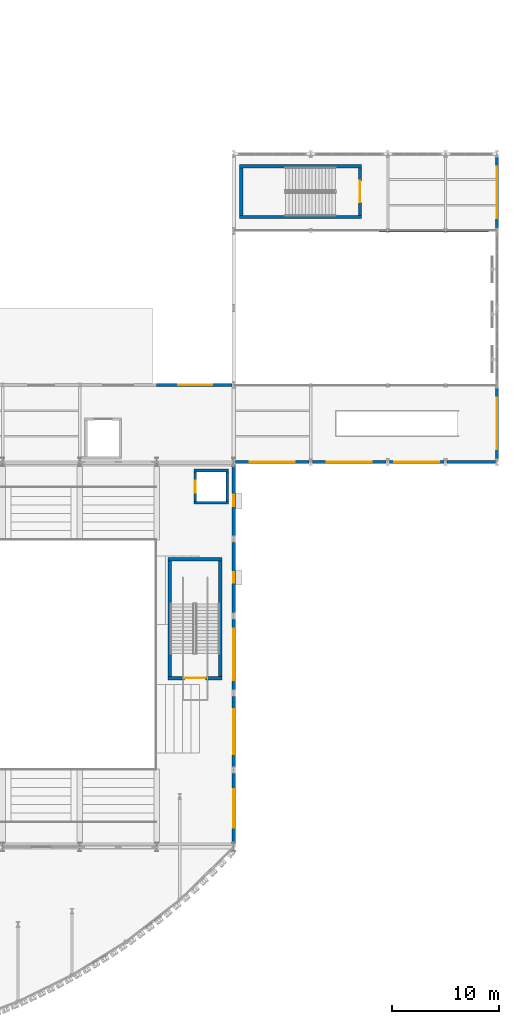
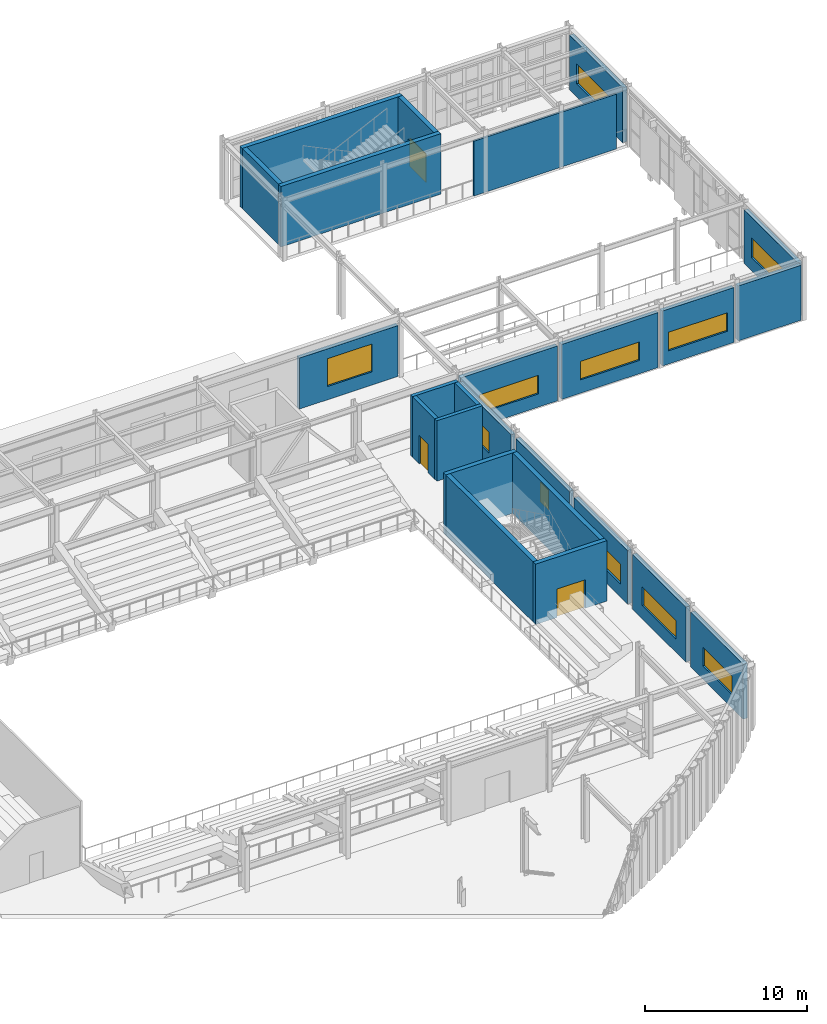
# One storey, part 99 of 121: 25 walls, 11 windows, 3 doors, 14 openings.
"""IFC4 building model written with IfcOpenShell, lengths in metres."""

from ifc_helpers import new_model, si_unit, direction, frame, frame_2d, origin, place, context, subcontext, project, spatial, rectangle, extrude, material, layer, layer_set, type_object, element, fill, save


model = new_model("IFC4")

# Units and contexts
model_context = context("Model", 3, precision=1e-05, world=origin(), true_north=direction((0.0, 1.0)))
body_context = subcontext(model_context, "Body", "Model", "MODEL_VIEW")
ifc_project = project(units=[si_unit("LENGTHUNIT", "METRE"), si_unit("AREAUNIT", "SQUARE_METRE"), si_unit("VOLUMEUNIT", "CUBIC_METRE"), si_unit("PLANEANGLEUNIT", "RADIAN"), si_unit("MASSUNIT", "GRAM", prefix="KILO")], contexts=[model_context])

# Site, building, storey
site_placement = place(None, origin())
site = spatial("IfcSite", under=ifc_project, at=site_placement, CompositionType="ELEMENT")
building_placement = place(site_placement, origin())
building = spatial("IfcBuilding", under=site, at=building_placement, Name="Solvadek Multi-Sports Hall", CompositionType="ELEMENT")
storey_placement = place(building_placement, frame((0.0, 0.0, 4.800048828125)))
storey = spatial("IfcBuildingStorey", under=building, at=storey_placement, Name="L01", CompositionType="ELEMENT", Elevation=4.800048828125)

# Wall, opening, window
ifc_material_1 = material(Name="Dressed honey-cream limestone ashlar", Category="masonry")
ifc_layer_1 = layer(ifc_material_1, 0.300048828125, Name="Dressed honey-cream limestone ashlar")
ifc_layer_set_1 = layer_set([ifc_layer_1], Name="Dressed honey-cream limestone ashlar")
wall_type_1 = type_object("IfcWallType", Name="ENV-WAL-EXT300", PredefinedType="SOLIDWALL", material=ifc_layer_set_1)
wall_1_placement = place(storey_placement, frame((136.800048828125, 6.404052734375, 0.0), z_axis=(0.0, 0.0, 1.0), x_axis=(0.0, 1.0, 0.0)))
wall_1 = element("IfcWall", 1, at=wall_1_placement, inside=storey, type_object=wall_type_1, Name="L01 Exterior Masonry Wall #231", PredefinedType="SOLIDWALL", context=body_context, shape_type="SweptSolid", body=[
    extrude(rectangle(XDim=6.491943359375, YDim=0.300048828125, at=frame_2d((3.24609375, 0.0))), origin(), (0.0, 0.0, 1.0), 4.14501953125),
])
opening_1_placement = place(wall_1_placement, frame((1.39599609375, 0.0, 1.0)))
opening_1 = element("IfcOpeningElement", 2, at=opening_1_placement, cuts=wall_1, Name="Opening WN-21", PredefinedType="OPENING", context=body_context, shape_type="SweptSolid", body=[
    extrude(rectangle(XDim=3.60009765625, YDim=1.39990234375, at=frame_2d((1.800048828125, 0.699951171875))), frame((0.0, 0.159912109375, 0.0), z_axis=(0.0, -1.0, 0.0), x_axis=(1.0, 0.0, 0.0)), (0.0, 0.0, 1.0), 0.320068359375),
])
ifc_material_2 = material(Name="Tempered laminated low-E glass", Category="glass")
window_type_1 = type_object("IfcWindowType", Name="ENV-WIN-WN-21", PartitioningType="SINGLE_PANEL", PredefinedType="WINDOW", material=ifc_material_2)
window_1_placement = place(opening_1_placement, origin())
window_1 = element("IfcWindow", 3, at=window_1_placement, inside=storey, type_object=window_type_1, Name="L01 Facade Window WN-21 #89", OverallHeight=1.39990234375, OverallWidth=3.60009765625, PartitioningType="SINGLE_PANEL", PredefinedType="WINDOW", context=body_context, shape_type="SweptSolid", body=[
    extrude(rectangle(XDim=3.60009765625, YDim=1.39990234375, at=frame_2d((1.800048828125, 0.699951171875))), frame((0.0, 0.030029296875, 0.0), z_axis=(0.0, -1.0, 0.0), x_axis=(1.0, 0.0, 0.0)), (0.0, 0.0, 1.0), 0.06005859375),
])
fill(opening_1, window_1)

wall_2_placement = place(storey_placement, frame((136.800048828125, 13.50390625, 0.0), z_axis=(0.0, 0.0, 1.0), x_axis=(0.0, 1.0, 0.0)))
wall_2 = element("IfcWall", 4, at=wall_2_placement, inside=storey, type_object=wall_type_1, Name="L01 Exterior Masonry Wall #234", PredefinedType="SOLIDWALL", context=body_context, shape_type="SweptSolid", body=[
    extrude(rectangle(XDim=6.592041015625, YDim=0.300048828125, at=frame_2d((3.2958984375, 0.0))), origin(), (0.0, 0.0, 1.0), 4.14501953125),
])
opening_2_placement = place(wall_2_placement, frame((1.196044921875, 0.0, 1.0)))
opening_2 = element("IfcOpeningElement", 5, at=opening_2_placement, cuts=wall_2, Name="Opening WN-22", PredefinedType="OPENING", context=body_context, shape_type="SweptSolid", body=[
    extrude(rectangle(XDim=4.199951171875, YDim=1.39990234375, at=frame_2d((2.10009765625, 0.699951171875))), frame((0.0, 0.159912109375, 0.0), z_axis=(0.0, -1.0, 0.0), x_axis=(1.0, 0.0, 0.0)), (0.0, 0.0, 1.0), 0.320068359375),
])
window_type_2 = type_object("IfcWindowType", Name="ENV-WIN-WN-22", PartitioningType="SINGLE_PANEL", PredefinedType="WINDOW", material=ifc_material_2)
window_2_placement = place(opening_2_placement, origin())
window_2 = element("IfcWindow", 6, at=window_2_placement, inside=storey, type_object=window_type_2, Name="L01 Facade Window WN-22 #92", OverallHeight=1.39990234375, OverallWidth=4.199951171875, PartitioningType="SINGLE_PANEL", PredefinedType="WINDOW", context=body_context, shape_type="SweptSolid", body=[
    extrude(rectangle(XDim=4.199951171875, YDim=1.39990234375, at=frame_2d((2.10009765625, 0.699951171875))), frame((0.0, 0.030029296875, 0.0), z_axis=(0.0, -1.0, 0.0), x_axis=(1.0, 0.0, 0.0)), (0.0, 0.0, 1.0), 0.06005859375),
])
fill(opening_2, window_2)

wall_3_placement = place(storey_placement, frame((136.800048828125, 20.7041015625, 0.0), z_axis=(0.0, 0.0, 1.0), x_axis=(0.0, 1.0, 0.0)))
wall_3 = element("IfcWall", 7, at=wall_3_placement, inside=storey, type_object=wall_type_1, Name="L01 Exterior Masonry Wall #237", PredefinedType="SOLIDWALL", context=body_context, shape_type="SweptSolid", body=[
    extrude(rectangle(XDim=6.591796875, YDim=0.300048828125, at=frame_2d((3.2958984375, 0.0))), origin(), (0.0, 0.0, 1.0), 4.044921875),
])
opening_3_placement = place(wall_3_placement, frame((0.89599609375, 0.0, 1.0)))
opening_3 = element("IfcOpeningElement", 8, at=opening_3_placement, cuts=wall_3, Name="Opening WN-23", PredefinedType="OPENING", context=body_context, shape_type="SweptSolid", body=[
    extrude(rectangle(XDim=4.800048828125, YDim=1.5, at=frame_2d((2.39990234375, 0.75))), frame((0.0, 0.159912109375, 0.0), z_axis=(0.0, -1.0, 0.0), x_axis=(1.0, 0.0, 0.0)), (0.0, 0.0, 1.0), 0.320068359375),
])
window_type_3 = type_object("IfcWindowType", Name="ENV-WIN-WN-23", PartitioningType="SINGLE_PANEL", PredefinedType="WINDOW", material=ifc_material_2)
window_3_placement = place(opening_3_placement, origin())
window_3 = element("IfcWindow", 9, at=window_3_placement, inside=storey, type_object=window_type_3, Name="L01 Facade Window WN-23 #94", OverallHeight=1.5, OverallWidth=4.800048828125, PartitioningType="SINGLE_PANEL", PredefinedType="WINDOW", context=body_context, shape_type="SweptSolid", body=[
    extrude(rectangle(XDim=4.800048828125, YDim=1.5, at=frame_2d((2.39990234375, 0.75))), frame((0.0, 0.030029296875, 0.0), z_axis=(0.0, -1.0, 0.0), x_axis=(1.0, 0.0, 0.0)), (0.0, 0.0, 1.0), 0.06005859375),
])
fill(opening_3, window_3)

wall_4_placement = place(storey_placement, frame((136.800048828125, 27.904052734375, 0.0), z_axis=(0.0, 0.0, 1.0), x_axis=(0.0, 1.0, 0.0)))
wall_4 = element("IfcWall", 10, at=wall_4_placement, inside=storey, type_object=wall_type_1, Name="L01 Exterior Masonry Wall #240", PredefinedType="SOLIDWALL", context=body_context, shape_type="SweptSolid", body=[
    extrude(rectangle(XDim=6.592041015625, YDim=0.300048828125, at=frame_2d((3.2958984375, 0.0))), origin(), (0.0, 0.0, 1.0), 4.14501953125),
])
opening_4_placement = place(wall_4_placement, frame((2.7958984375, 0.0, 1.0)))
opening_4 = element("IfcOpeningElement", 11, at=opening_4_placement, cuts=wall_4, Name="Opening WN-24", PredefinedType="OPENING", context=body_context, shape_type="SweptSolid", body=[
    extrude(rectangle(XDim=1.0, YDim=1.5, at=frame_2d((0.5, 0.75))), frame((0.0, 0.159912109375, 0.0), z_axis=(0.0, -1.0, 0.0), x_axis=(1.0, 0.0, 0.0)), (0.0, 0.0, 1.0), 0.320068359375),
])
window_type_4 = type_object("IfcWindowType", Name="ENV-WIN-WN-24", PartitioningType="SINGLE_PANEL", PredefinedType="WINDOW", material=ifc_material_2)
window_4_placement = place(opening_4_placement, origin())
window_4 = element("IfcWindow", 12, at=window_4_placement, inside=storey, type_object=window_type_4, Name="L01 Facade Window WN-24 #96", OverallHeight=1.5, OverallWidth=1.0, PartitioningType="SINGLE_PANEL", PredefinedType="WINDOW", context=body_context, shape_type="SweptSolid", body=[
    extrude(rectangle(XDim=1.0, YDim=1.5, at=frame_2d((0.5, 0.75))), frame((0.0, 0.030029296875, 0.0), z_axis=(0.0, -1.0, 0.0), x_axis=(1.0, 0.0, 0.0)), (0.0, 0.0, 1.0), 0.06005859375),
])
fill(opening_4, window_4)

wall_5_placement = place(storey_placement, frame((136.800048828125, 35.10400390625, 0.0), z_axis=(0.0, 0.0, 1.0), x_axis=(0.0, 1.0, 0.0)))
wall_5 = element("IfcWall", 13, at=wall_5_placement, inside=storey, type_object=wall_type_1, Name="L01 Exterior Masonry Wall #243", PredefinedType="SOLIDWALL", context=body_context, shape_type="SweptSolid", body=[
    extrude(rectangle(XDim=6.491943359375, YDim=0.300048828125, at=frame_2d((3.24609375, 0.0))), origin(), (0.0, 0.0, 1.0), 4.044921875),
])
opening_5_placement = place(wall_5_placement, frame((2.74609375, 0.0, 1.0)))
opening_5 = element("IfcOpeningElement", 14, at=opening_5_placement, cuts=wall_5, Name="Opening WN-25", PredefinedType="OPENING", context=body_context, shape_type="SweptSolid", body=[
    extrude(rectangle(XDim=1.10009765625, YDim=1.60009765625, at=frame_2d((0.550048828125, 0.800048828125))), frame((0.0, 0.159912109375, 0.0), z_axis=(0.0, -1.0, 0.0), x_axis=(1.0, 0.0, 0.0)), (0.0, 0.0, 1.0), 0.320068359375),
])
window_type_5 = type_object("IfcWindowType", Name="ENV-WIN-WN-25", PartitioningType="SINGLE_PANEL", PredefinedType="WINDOW", material=ifc_material_2)
window_5_placement = place(opening_5_placement, origin())
window_5 = element("IfcWindow", 15, at=window_5_placement, inside=storey, type_object=window_type_5, Name="L01 Facade Window WN-25 #99", OverallHeight=1.60009765625, OverallWidth=1.10009765625, PartitioningType="SINGLE_PANEL", PredefinedType="WINDOW", context=body_context, shape_type="SweptSolid", body=[
    extrude(rectangle(XDim=1.10009765625, YDim=1.60009765625, at=frame_2d((0.550048828125, 0.800048828125))), frame((0.0, 0.030029296875, 0.0), z_axis=(0.0, -1.0, 0.0), x_axis=(1.0, 0.0, 0.0)), (0.0, 0.0, 1.0), 0.06005859375),
])
fill(opening_5, window_5)

wall_6_placement = place(storey_placement, frame((129.60009765625, 49.199951171875, 0.0), z_axis=(0.0, 0.0, 1.0), x_axis=(1.0, 0.0, 0.0)))
wall_6 = element("IfcWall", 16, at=wall_6_placement, inside=storey, type_object=wall_type_1, Name="L01 Exterior Masonry Wall #251", PredefinedType="SOLIDWALL", context=body_context, shape_type="SweptSolid", body=[
    extrude(rectangle(XDim=7.0458984375, YDim=0.300048828125, at=frame_2d((3.52294921875, 0.0))), origin(), (0.0, 0.0, 1.0), 3.844970703125),
])
opening_6_placement = place(wall_6_placement, frame((2.0, 0.0, 1.0)))
opening_6 = element("IfcOpeningElement", 17, at=opening_6_placement, cuts=wall_6, Name="Opening WN-15", PredefinedType="OPENING", context=body_context, shape_type="SweptSolid", body=[
    extrude(rectangle(XDim=3.199951171875, YDim=2.10009765625, at=frame_2d((1.60009765625, 1.050048828125))), frame((0.0, 0.159912109375, 0.0), z_axis=(0.0, -1.0, 0.0), x_axis=(1.0, 0.0, 0.0)), (0.0, 0.0, 1.0), 0.320068359375),
])
window_type_6 = type_object("IfcWindowType", Name="ENV-WIN-WN-15", PartitioningType="SINGLE_PANEL", PredefinedType="WINDOW", material=ifc_material_2)
window_6_placement = place(opening_6_placement, origin())
window_6 = element("IfcWindow", 18, at=window_6_placement, inside=storey, type_object=window_type_6, Name="L01 Facade Window WN-15 #107", OverallHeight=2.10009765625, OverallWidth=3.199951171875, PartitioningType="SINGLE_PANEL", PredefinedType="WINDOW", context=body_context, shape_type="SweptSolid", body=[
    extrude(rectangle(XDim=3.199951171875, YDim=2.10009765625, at=frame_2d((1.60009765625, 1.050048828125))), frame((0.0, 0.030029296875, 0.0), z_axis=(0.0, -1.0, 0.0), x_axis=(1.0, 0.0, 0.0)), (0.0, 0.0, 1.0), 0.06005859375),
])
fill(opening_6, window_6)

wall_7_placement = place(storey_placement, frame((136.9541015625, 42.0, 0.0), z_axis=(0.0, 0.0, 1.0), x_axis=(1.0, 0.0, 0.0)))
wall_7 = element("IfcWall", 19, at=wall_7_placement, inside=storey, type_object=wall_type_1, Name="L01 Exterior Masonry Wall #261", PredefinedType="SOLIDWALL", context=body_context, shape_type="SweptSolid", body=[
    extrude(rectangle(XDim=6.891845703125, YDim=0.300048828125, at=frame_2d((3.44580078125, 0.0))), origin(), (0.0, 0.0, 1.0), 4.14501953125),
])
opening_7_placement = place(wall_7_placement, frame((1.345947265625, 0.0, 1.0)))
opening_7 = element("IfcOpeningElement", 20, at=opening_7_placement, cuts=wall_7, Name="Opening WN-22", PredefinedType="OPENING", context=body_context, shape_type="SweptSolid", body=[
    extrude(rectangle(XDim=4.199951171875, YDim=1.39990234375, at=frame_2d((2.10009765625, 0.699951171875))), frame((0.0, 0.159912109375, 0.0), z_axis=(0.0, -1.0, 0.0), x_axis=(1.0, 0.0, 0.0)), (0.0, 0.0, 1.0), 0.320068359375),
])
window_7_placement = place(opening_7_placement, origin())
window_7 = element("IfcWindow", 21, at=window_7_placement, inside=storey, type_object=window_type_2, Name="L01 Facade Window WN-22 #114", OverallHeight=1.39990234375, OverallWidth=4.199951171875, PartitioningType="SINGLE_PANEL", PredefinedType="WINDOW", context=body_context, shape_type="SweptSolid", body=[
    extrude(rectangle(XDim=4.199951171875, YDim=1.39990234375, at=frame_2d((2.10009765625, 0.699951171875))), frame((0.0, 0.030029296875, 0.0), z_axis=(0.0, -1.0, 0.0), x_axis=(1.0, 0.0, 0.0)), (0.0, 0.0, 1.0), 0.06005859375),
])
fill(opening_7, window_7)

wall_8_placement = place(storey_placement, frame((144.154052734375, 42.0, 0.0), z_axis=(0.0, 0.0, 1.0), x_axis=(1.0, 0.0, 0.0)))
wall_8 = element("IfcWall", 22, at=wall_8_placement, inside=storey, type_object=wall_type_1, Name="L01 Exterior Masonry Wall #265", PredefinedType="SOLIDWALL", context=body_context, shape_type="SweptSolid", body=[
    extrude(rectangle(XDim=6.891845703125, YDim=0.300048828125, at=frame_2d((3.44580078125, 0.0))), origin(), (0.0, 0.0, 1.0), 4.14501953125),
])
opening_8_placement = place(wall_8_placement, frame((1.345947265625, 0.0, 1.0)))
opening_8 = element("IfcOpeningElement", 23, at=opening_8_placement, cuts=wall_8, Name="Opening WN-22", PredefinedType="OPENING", context=body_context, shape_type="SweptSolid", body=[
    extrude(rectangle(XDim=4.199951171875, YDim=1.39990234375, at=frame_2d((2.10009765625, 0.699951171875))), frame((0.0, 0.159912109375, 0.0), z_axis=(0.0, -1.0, 0.0), x_axis=(1.0, 0.0, 0.0)), (0.0, 0.0, 1.0), 0.320068359375),
])
window_8_placement = place(opening_8_placement, origin())
window_8 = element("IfcWindow", 24, at=window_8_placement, inside=storey, type_object=window_type_2, Name="L01 Facade Window WN-22 #115", OverallHeight=1.39990234375, OverallWidth=4.199951171875, PartitioningType="SINGLE_PANEL", PredefinedType="WINDOW", context=body_context, shape_type="SweptSolid", body=[
    extrude(rectangle(XDim=4.199951171875, YDim=1.39990234375, at=frame_2d((2.10009765625, 0.699951171875))), frame((0.0, 0.030029296875, 0.0), z_axis=(0.0, -1.0, 0.0), x_axis=(1.0, 0.0, 0.0)), (0.0, 0.0, 1.0), 0.06005859375),
])
fill(opening_8, window_8)

wall_9_placement = place(storey_placement, frame((151.35400390625, 42.0, 0.0), z_axis=(0.0, 0.0, 1.0), x_axis=(1.0, 0.0, 0.0)))
wall_9 = element("IfcWall", 25, at=wall_9_placement, inside=storey, type_object=wall_type_1, Name="L01 Exterior Masonry Wall #270", PredefinedType="SOLIDWALL", context=body_context, shape_type="SweptSolid", body=[
    extrude(rectangle(XDim=5.092041015625, YDim=0.300048828125, at=frame_2d((2.5458984375, 0.0))), origin(), (0.0, 0.0, 1.0), 4.14501953125),
])
opening_9_placement = place(wall_9_placement, frame((0.446044921875, 0.0, 1.0)))
opening_9 = element("IfcOpeningElement", 26, at=opening_9_placement, cuts=wall_9, Name="Opening WN-22", PredefinedType="OPENING", context=body_context, shape_type="SweptSolid", body=[
    extrude(rectangle(XDim=4.199951171875, YDim=1.39990234375, at=frame_2d((2.10009765625, 0.699951171875))), frame((0.0, 0.159912109375, 0.0), z_axis=(0.0, -1.0, 0.0), x_axis=(1.0, 0.0, 0.0)), (0.0, 0.0, 1.0), 0.320068359375),
])
window_9_placement = place(opening_9_placement, origin())
window_9 = element("IfcWindow", 27, at=window_9_placement, inside=storey, type_object=window_type_2, Name="L01 Facade Window WN-22 #116", OverallHeight=1.39990234375, OverallWidth=4.199951171875, PartitioningType="SINGLE_PANEL", PredefinedType="WINDOW", context=body_context, shape_type="SweptSolid", body=[
    extrude(rectangle(XDim=4.199951171875, YDim=1.39990234375, at=frame_2d((2.10009765625, 0.699951171875))), frame((0.0, 0.030029296875, 0.0), z_axis=(0.0, -1.0, 0.0), x_axis=(1.0, 0.0, 0.0)), (0.0, 0.0, 1.0), 0.06005859375),
])
fill(opening_9, window_9)

# Wall
wall_10_placement = place(storey_placement, frame((156.75390625, 42.0, 0.0), z_axis=(0.0, 0.0, 1.0), x_axis=(1.0, 0.0, 0.0)))
element("IfcWall", 28, at=wall_10_placement, inside=storey, type_object=wall_type_1, Name="L01 Exterior Masonry Wall #274", PredefinedType="SOLIDWALL", context=body_context, shape_type="SweptSolid", body=[
    extrude(rectangle(XDim=4.4921875, YDim=0.300048828125, at=frame_2d((2.24609375, 0.0))), origin(), (0.0, 0.0, 1.0), 4.14501953125),
])

# Wall, opening, window
wall_11_placement = place(storey_placement, frame((161.39990234375, 42.303955078125, 0.0), z_axis=(0.0, 0.0, 1.0), x_axis=(0.0, 1.0, 0.0)))
wall_11 = element("IfcWall", 29, at=wall_11_placement, inside=storey, type_object=wall_type_1, Name="L01 Exterior Masonry Wall #278", PredefinedType="SOLIDWALL", context=body_context, shape_type="SweptSolid", body=[
    extrude(rectangle(XDim=6.592041015625, YDim=0.300048828125, at=frame_2d((3.2958984375, 0.0))), origin(), (0.0, 0.0, 1.0), 4.044921875),
])
opening_10_placement = place(wall_11_placement, frame((0.89599609375, 0.0, 1.0)))
opening_10 = element("IfcOpeningElement", 30, at=opening_10_placement, cuts=wall_11, Name="Opening WN-23", PredefinedType="OPENING", context=body_context, shape_type="SweptSolid", body=[
    extrude(rectangle(XDim=4.800048828125, YDim=1.5, at=frame_2d((2.39990234375, 0.75))), frame((0.0, 0.159912109375, 0.0), z_axis=(0.0, -1.0, 0.0), x_axis=(1.0, 0.0, 0.0)), (0.0, 0.0, 1.0), 0.320068359375),
])
window_10_placement = place(opening_10_placement, origin())
window_10 = element("IfcWindow", 31, at=window_10_placement, inside=storey, type_object=window_type_3, Name="L01 Facade Window WN-23 #119", OverallHeight=1.5, OverallWidth=4.800048828125, PartitioningType="SINGLE_PANEL", PredefinedType="WINDOW", context=body_context, shape_type="SweptSolid", body=[
    extrude(rectangle(XDim=4.800048828125, YDim=1.5, at=frame_2d((2.39990234375, 0.75))), frame((0.0, 0.030029296875, 0.0), z_axis=(0.0, -1.0, 0.0), x_axis=(1.0, 0.0, 0.0)), (0.0, 0.0, 1.0), 0.06005859375),
])
fill(opening_10, window_10)

wall_12_placement = place(storey_placement, frame((161.39990234375, 63.904052734375, 0.0), z_axis=(0.0, 0.0, 1.0), x_axis=(0.0, 1.0, 0.0)))
wall_12 = element("IfcWall", 32, at=wall_12_placement, inside=storey, type_object=wall_type_1, Name="L01 Exterior Masonry Wall #282", PredefinedType="SOLIDWALL", context=body_context, shape_type="SweptSolid", body=[
    extrude(rectangle(XDim=6.592041015625, YDim=0.300048828125, at=frame_2d((3.2958984375, 0.0))), origin(), (0.0, 0.0, 1.0), 4.14501953125),
])
opening_11_placement = place(wall_12_placement, frame((0.89599609375, 0.0, 1.0)))
opening_11 = element("IfcOpeningElement", 33, at=opening_11_placement, cuts=wall_12, Name="Opening WN-23", PredefinedType="OPENING", context=body_context, shape_type="SweptSolid", body=[
    extrude(rectangle(XDim=4.800048828125, YDim=1.5, at=frame_2d((2.39990234375, 0.75))), frame((0.0, 0.159912109375, 0.0), z_axis=(0.0, -1.0, 0.0), x_axis=(1.0, 0.0, 0.0)), (0.0, 0.0, 1.0), 0.320068359375),
])
window_11_placement = place(opening_11_placement, origin())
window_11 = element("IfcWindow", 34, at=window_11_placement, inside=storey, type_object=window_type_3, Name="L01 Facade Window WN-23 #123", OverallHeight=1.5, OverallWidth=4.800048828125, PartitioningType="SINGLE_PANEL", PredefinedType="WINDOW", context=body_context, shape_type="SweptSolid", body=[
    extrude(rectangle(XDim=4.800048828125, YDim=1.5, at=frame_2d((2.39990234375, 0.75))), frame((0.0, 0.030029296875, 0.0), z_axis=(0.0, -1.0, 0.0), x_axis=(1.0, 0.0, 0.0)), (0.0, 0.0, 1.0), 0.06005859375),
])
fill(opening_11, window_11)

# Walls
ifc_material_3 = material(Name="Autoclaved aerated concrete blockwork", Category="masonry")
ifc_layer_2 = layer(ifc_material_3, 0.135009765625, Name="Autoclaved aerated concrete blockwork")
ifc_layer_set_2 = layer_set([ifc_layer_2], Name="Autoclaved aerated concrete blockwork")
wall_type_2 = type_object("IfcWallType", Name="INT-WAL-PRT135", PredefinedType="PARTITIONING", material=ifc_layer_set_2)
wall_13_placement = place(storey_placement, frame((150.419921875, 63.60009765625, 0.0), z_axis=(0.0, 0.0, 1.0), x_axis=(1.0, 0.0, 0.0)))
element("IfcWall", 35, at=wall_13_placement, inside=storey, type_object=wall_type_2, Name="L01 Partition Wall L01-08 S", PredefinedType="PARTITIONING", context=body_context, shape_type="SweptSolid", body=[
    extrude(rectangle(XDim=10.16015625, YDim=0.135009765625, at=frame_2d((5.080078125, 0.0))), origin(), (0.0, 0.0, 1.0), 4.139892578125),
])
ifc_material_4 = material(Name="Concrete M40", Category="concrete")
ifc_layer_3 = layer(ifc_material_4, 0.260009765625, Name="Concrete M40")
ifc_layer_set_3 = layer_set([ifc_layer_3], Name="Concrete M40")
wall_type_3 = type_object("IfcWallType", Name="INT-WAL-SHR260", PredefinedType="SHEAR", material=ifc_layer_set_3)
for number, where, z_axis, x_axis, name in (
    (36, (133.070068359375, 38.199951171875, 0.0), (0.0, 0.0, 1.0), (1.0, 0.0, 0.0), "Lift LP-03 Shaft Shear Wall L01 south"),
    (37, (133.070068359375, 41.199951171875, 0.0), (0.0, 0.0, 1.0), (1.0, 0.0, 0.0), "Lift LP-03 Shaft Shear Wall L01 north"),
):
    element("IfcWall", number, at=place(storey_placement, frame(where, z_axis=z_axis, x_axis=x_axis)), inside=storey, type_object=wall_type_3, Name=name, PredefinedType="SHEAR", context=body_context, shape_type="SweptSolid", body=[
        extrude(rectangle(XDim=3.260009765625, YDim=0.260009765625, at=frame_2d((1.6298828125, 0.0))), origin(), (0.0, 0.0, 1.0), 4.56005859375),
    ])

# Wall, opening, door
wall_14_placement = place(storey_placement, frame((133.199951171875, 38.330078125, 0.0), z_axis=(0.0, 0.0, 1.0), x_axis=(0.0, 1.0, 0.0)))
wall_14 = element("IfcWall", 38, at=wall_14_placement, inside=storey, type_object=wall_type_3, Name="Lift LP-03 Shaft Shear Wall L01 west", PredefinedType="SHEAR", context=body_context, shape_type="SweptSolid", body=[
    extrude(rectangle(XDim=2.739990234375, YDim=0.260009765625, at=frame_2d((1.3701171875, 0.0))), origin(), (0.0, 0.0, 1.0), 4.56005859375),
])
opening_12_placement = place(wall_14_placement, frame((0.820068359375, 0.0, 0.0)))
opening_12 = element("IfcOpeningElement", 39, at=opening_12_placement, cuts=wall_14, Name="Opening LD-22", PredefinedType="OPENING", context=body_context, shape_type="SweptSolid", body=[
    extrude(rectangle(XDim=1.10009765625, YDim=2.14990234375, at=frame_2d((0.550048828125, 1.074951171875))), frame((0.0, 0.139892578125, 0.0), z_axis=(0.0, -1.0, 0.0), x_axis=(1.0, 0.0, 0.0)), (0.0, 0.0, 1.0), 0.280029296875),
])
ifc_material_5 = material(Name="Anodised aluminium", Category="aluminium")
door_type_1 = type_object("IfcDoorType", Name="INT-DOR-LD110X215", OperationType="DOUBLE_DOOR_SLIDING", PredefinedType="DOOR", material=ifc_material_5)
door_1_placement = place(opening_12_placement, origin())
door_1 = element("IfcDoor", 40, at=door_1_placement, inside=storey, type_object=door_type_1, Name="L01 Lift LP-03 Sliding Landing Door LD-22", OperationType="DOUBLE_DOOR_SLIDING", OverallHeight=2.14990234375, OverallWidth=1.10009765625, PredefinedType="DOOR", context=body_context, shape_type="SweptSolid", body=[
    extrude(rectangle(XDim=1.10009765625, YDim=2.14990234375, at=frame_2d((0.550048828125, 1.074951171875))), frame((0.0, 0.02490234375, 0.0), z_axis=(0.0, -1.0, 0.0), x_axis=(1.0, 0.0, 0.0)), (0.0, 0.0, 1.0), 0.050048828125),
])
fill(opening_12, door_1)

# Wall
wall_15_placement = place(storey_placement, frame((136.199951171875, 38.330078125, 0.0), z_axis=(0.0, 0.0, 1.0), x_axis=(0.0, 1.0, 0.0)))
element("IfcWall", 41, at=wall_15_placement, inside=storey, type_object=wall_type_3, Name="Lift LP-03 Shaft Shear Wall L01 east", PredefinedType="SHEAR", context=body_context, shape_type="SweptSolid", body=[
    extrude(rectangle(XDim=2.739990234375, YDim=0.260009765625, at=frame_2d((1.3701171875, 0.0))), origin(), (0.0, 0.0, 1.0), 4.56005859375),
])

# Wall, opening, door
ifc_layer_4 = layer(ifc_material_4, 0.320068359375, Name="Concrete M40")
ifc_layer_set_4 = layer_set([ifc_layer_4], Name="Concrete M40")
wall_type_4 = type_object("IfcWallType", Name="INT-WAL-SHR320", PredefinedType="SHEAR", material=ifc_layer_set_4)
wall_16_placement = place(storey_placement, frame((130.639892578125, 21.800048828125, 0.0), z_axis=(0.0, 0.0, 1.0), x_axis=(1.0, 0.0, 0.0)))
wall_16 = element("IfcWall", 42, at=wall_16_placement, inside=storey, type_object=wall_type_4, Name="L01 Stair ST-05 Shear Wall S", PredefinedType="SHEAR", context=body_context, shape_type="SweptSolid", body=[
    extrude(rectangle(XDim=5.070068359375, YDim=0.320068359375, at=frame_2d((2.53515625, 0.0))), origin(), (0.0, 0.0, 1.0), 4.56005859375),
])
opening_13_placement = place(wall_16_placement, frame((1.534912109375, 0.0, 0.0)))
opening_13 = element("IfcOpeningElement", 43, at=opening_13_placement, cuts=wall_16, Name="Opening FD120", PredefinedType="OPENING", context=body_context, shape_type="SweptSolid", body=[
    extrude(rectangle(XDim=2.0, YDim=2.14990234375, at=frame_2d((1.0, 1.074951171875))), frame((0.0, 0.169921875, 0.0), z_axis=(0.0, -1.0, 0.0), x_axis=(1.0, 0.0, 0.0)), (0.0, 0.0, 1.0), 0.340087890625),
])
ifc_material_6 = material(Name="Steel E250 (250 MPa)", Category="steel")
door_type_2 = type_object("IfcDoorType", Name="INT-DOR-FD200X215", OperationType="DOUBLE_DOOR_SINGLE_SWING", PredefinedType="DOOR", material=ifc_material_6)
door_2_placement = place(opening_13_placement, origin())
door_2 = element("IfcDoor", 44, at=door_2_placement, inside=storey, type_object=door_type_2, Name="L01 Stair ST-05 Fire Door", OperationType="DOUBLE_DOOR_SINGLE_SWING", OverallHeight=2.14990234375, OverallWidth=2.0, PredefinedType="DOOR", context=body_context, shape_type="SweptSolid", body=[
    extrude(rectangle(XDim=2.0, YDim=2.14990234375, at=frame_2d((1.0, 1.074951171875))), frame((0.0, 0.02490234375, 0.0), z_axis=(0.0, -1.0, 0.0), x_axis=(1.0, 0.0, 0.0)), (0.0, 0.0, 1.0), 0.050048828125),
])
fill(opening_13, door_2)

# Walls
wall_17_placement = place(storey_placement, frame((130.639892578125, 32.89990234375, 0.0), z_axis=(0.0, 0.0, 1.0), x_axis=(1.0, 0.0, 0.0)))
element("IfcWall", 45, at=wall_17_placement, inside=storey, type_object=wall_type_4, Name="L01 Stair ST-05 Shear Wall N", PredefinedType="SHEAR", context=body_context, shape_type="SweptSolid", body=[
    extrude(rectangle(XDim=5.070068359375, YDim=0.320068359375, at=frame_2d((2.53515625, 0.0))), origin(), (0.0, 0.0, 1.0), 4.56005859375),
])
for number, where, z_axis, x_axis, name in (
    (46, (130.800048828125, 21.9599609375, 0.0), (0.0, 0.0, 1.0), (0.0, 1.0, 0.0), "L01 Stair ST-05 Shear Wall W"),
    (47, (135.550048828125, 21.9599609375, 0.0), (0.0, 0.0, 1.0), (0.0, 1.0, 0.0), "L01 Stair ST-05 Shear Wall E"),
):
    element("IfcWall", number, at=place(storey_placement, frame(where, z_axis=z_axis, x_axis=x_axis)), inside=storey, type_object=wall_type_4, Name=name, PredefinedType="SHEAR", context=body_context, shape_type="SweptSolid", body=[
        extrude(rectangle(XDim=10.780029296875, YDim=0.320068359375, at=frame_2d((5.39013671875, 0.0))), origin(), (0.0, 0.0, 1.0), 4.56005859375),
    ])
for number, where, z_axis, x_axis, name in (
    (48, (137.340087890625, 64.89990234375, 0.0), (0.0, 0.0, 1.0), (1.0, 0.0, 0.0), "L01 Stair ST-06 Shear Wall S"),
    (49, (137.340087890625, 69.64990234375, 0.0), (0.0, 0.0, 1.0), (1.0, 0.0, 0.0), "L01 Stair ST-06 Shear Wall N"),
):
    element("IfcWall", number, at=place(storey_placement, frame(where, z_axis=z_axis, x_axis=x_axis)), inside=storey, type_object=wall_type_4, Name=name, PredefinedType="SHEAR", context=body_context, shape_type="SweptSolid", body=[
        extrude(rectangle(XDim=11.419921875, YDim=0.320068359375, at=frame_2d((5.7099609375, 0.0))), origin(), (0.0, 0.0, 1.0), 4.56005859375),
    ])
wall_18_placement = place(storey_placement, frame((137.5, 65.06005859375, 0.0), z_axis=(0.0, 0.0, 1.0), x_axis=(0.0, 1.0, 0.0)))
element("IfcWall", 50, at=wall_18_placement, inside=storey, type_object=wall_type_4, Name="L01 Stair ST-06 Shear Wall W", PredefinedType="SHEAR", context=body_context, shape_type="SweptSolid", body=[
    extrude(rectangle(XDim=4.429931640625, YDim=0.320068359375, at=frame_2d((2.21484375, 0.0))), origin(), (0.0, 0.0, 1.0), 4.56005859375),
])

# Wall, opening, door
wall_19_placement = place(storey_placement, frame((148.60009765625, 65.06005859375, 0.0), z_axis=(0.0, 0.0, 1.0), x_axis=(0.0, 1.0, 0.0)))
wall_19 = element("IfcWall", 51, at=wall_19_placement, inside=storey, type_object=wall_type_4, Name="L01 Stair ST-06 Shear Wall E", PredefinedType="SHEAR", context=body_context, shape_type="SweptSolid", body=[
    extrude(rectangle(XDim=4.429931640625, YDim=0.320068359375, at=frame_2d((2.21484375, 0.0))), origin(), (0.0, 0.0, 1.0), 4.56005859375),
])
opening_14_placement = place(wall_19_placement, frame((1.215087890625, 0.0, 0.0)))
opening_14 = element("IfcOpeningElement", 52, at=opening_14_placement, cuts=wall_19, Name="Opening FD120", PredefinedType="OPENING", context=body_context, shape_type="SweptSolid", body=[
    extrude(rectangle(XDim=2.0, YDim=2.14990234375, at=frame_2d((1.0, 1.074951171875))), frame((0.0, 0.169921875, 0.0), z_axis=(0.0, -1.0, 0.0), x_axis=(1.0, 0.0, 0.0)), (0.0, 0.0, 1.0), 0.340087890625),
])
door_3_placement = place(opening_14_placement, origin())
door_3 = element("IfcDoor", 53, at=door_3_placement, inside=storey, type_object=door_type_2, Name="L01 Stair ST-06 Fire Door", OperationType="DOUBLE_DOOR_SINGLE_SWING", OverallHeight=2.14990234375, OverallWidth=2.0, PredefinedType="DOOR", context=body_context, shape_type="SweptSolid", body=[
    extrude(rectangle(XDim=2.0, YDim=2.14990234375, at=frame_2d((1.0, 1.074951171875))), frame((0.0, 0.02490234375, 0.0), z_axis=(0.0, -1.0, 0.0), x_axis=(1.0, 0.0, 0.0)), (0.0, 0.0, 1.0), 0.050048828125),
])
fill(opening_14, door_3)

save(model, "model.ifc")
